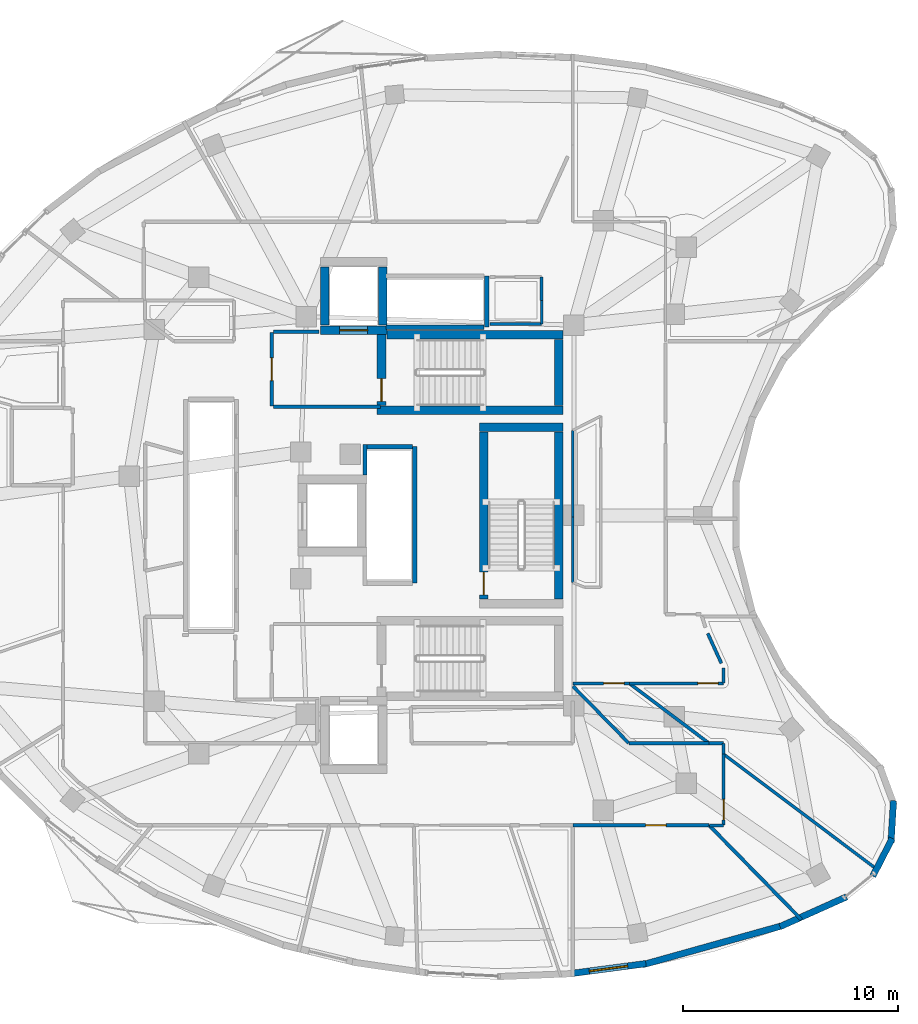
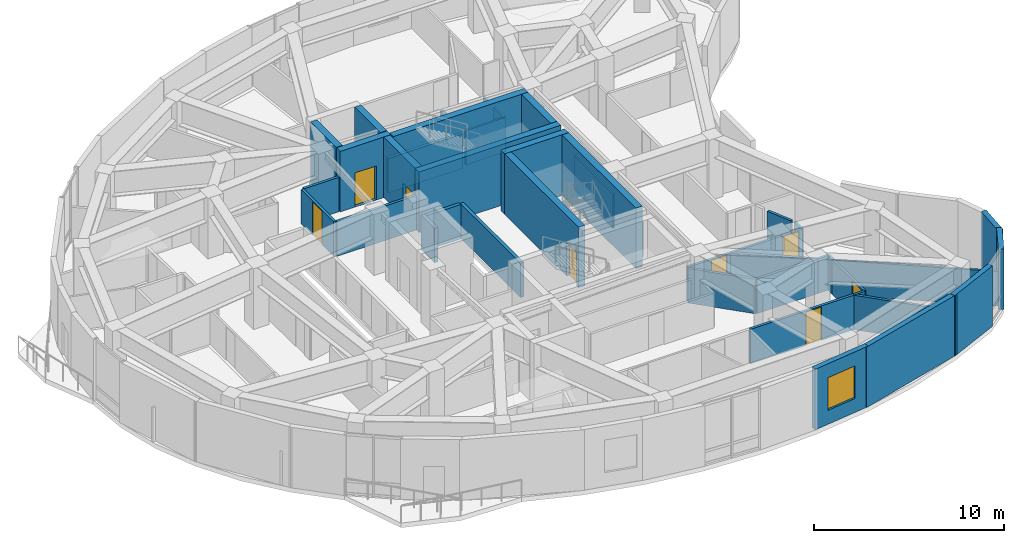
# One storey, part 8 of 13: 42 walls, 8 doors, 1 window, 9 openings.
"""IFC4 building model written with IfcOpenShell, lengths in metres."""

from ifc_helpers import new_model, si_unit, direction, frame, frame_2d, origin, place, context, subcontext, project, spatial, rectangle, extrude, material, layer, layer_set, type_object, element, fill, save


model = new_model("IFC4")

# Units and contexts
model_context = context("Model", 3, precision=1e-05, world=origin(), true_north=direction((0.0, 1.0)))
body_context = subcontext(model_context, "Body", "Model", "MODEL_VIEW")
ifc_project = project(units=[si_unit("LENGTHUNIT", "METRE"), si_unit("AREAUNIT", "SQUARE_METRE"), si_unit("VOLUMEUNIT", "CUBIC_METRE"), si_unit("PLANEANGLEUNIT", "RADIAN"), si_unit("MASSUNIT", "GRAM", prefix="KILO")], contexts=[model_context])

# Site, building, storey
site_placement = place(None, origin())
site = spatial("IfcSite", under=ifc_project, at=site_placement, CompositionType="ELEMENT")
building_placement = place(site_placement, origin())
building = spatial("IfcBuilding", under=site, at=building_placement, Name="Korentha Bioscience Tower", CompositionType="ELEMENT")
storey_placement = place(building_placement, frame((0.0, 0.0, 256.199951171875)))
storey = spatial("IfcBuildingStorey", under=building, at=storey_placement, Name="L59", CompositionType="ELEMENT", Elevation=256.199951171875)

# Wall, opening, door
ifc_material_1 = material(Name="Double-Stud Acoustic Gypsum", Category="gypsum")
ifc_layer_1 = layer(ifc_material_1, 0.14990234375, Name="Double-Stud Acoustic Gypsum")
ifc_layer_set_1 = layer_set([ifc_layer_1], Name="Double-Stud Acoustic Gypsum (IW-L150)")
wall_type_1 = type_object("IfcWallType", Name="Acoustic Laboratory Partition Wall 150", PredefinedType="PARTITIONING", material=ifc_layer_set_1)
wall_1_placement = place(storey_placement, frame((37.501953125, 19.18994140625, 0.0), z_axis=(0.0, 0.0, 1.0), x_axis=(1.0, 0.0, 0.0)))
wall_1 = element("IfcWall", 1, at=wall_1_placement, inside=storey, type_object=wall_type_1, Name="L59 Immunology Flow-Cytometry Laboratory 11 Entrance Wall", PredefinedType="PARTITIONING", context=body_context, shape_type="SweptSolid", body=[
    extrude(rectangle(XDim=2.621826171875, YDim=0.14990234375, at=frame_2d((1.31103515625, 0.0))), origin(), (0.0, 0.0, 1.0), 2.219970703125),
])
opening_1_placement = place(wall_1_placement, frame((1.431640625, 0.0, 0.0)))
opening_1 = element("IfcOpeningElement", 2, at=opening_1_placement, cuts=wall_1, Name="Opening ID-10R", PredefinedType="OPENING", context=body_context, shape_type="SweptSolid", body=[
    extrude(rectangle(XDim=0.949951171875, YDim=2.14990234375, at=frame_2d((0.47509765625, 1.074951171875))), frame((0.0, 0.08984375, 0.0), z_axis=(0.0, -1.0, 0.0), x_axis=(1.0, 0.0, 0.0)), (0.0, 0.0, 1.0), 0.1796875),
])
ifc_material_2 = material(Name="Phenolic Laminate Timber Core", Category="wood")
door_type_1 = type_object("IfcDoorType", Name="Laboratory Single Leaf Door 950x2150 Right", OperationType="SINGLE_SWING_RIGHT", PredefinedType="DOOR", material=ifc_material_2)
door_1_placement = place(opening_1_placement, origin())
door_1 = element("IfcDoor", 3, at=door_1_placement, inside=storey, type_object=door_type_1, Name="L59 Immunology Flow-Cytometry Laboratory 11 Door", OperationType="SINGLE_SWING_RIGHT", OverallHeight=2.14990234375, OverallWidth=0.949951171875, PredefinedType="DOOR", context=body_context, shape_type="SweptSolid", body=[
    extrude(rectangle(XDim=0.949951171875, YDim=2.14990234375, at=frame_2d((0.47509765625, 1.074951171875))), frame((0.0, 0.02490234375, 0.0), z_axis=(0.0, -1.0, 0.0), x_axis=(1.0, 0.0, 0.0)), (0.0, 0.0, 1.0), 0.050048828125),
])
fill(opening_1, door_1)

wall_2_placement = place(storey_placement, frame((40.140380859375, 19.18994140625, 0.0), z_axis=(0.0, 0.0, 1.0), x_axis=(1.0, 0.0, 0.0)))
wall_2 = element("IfcWall", 4, at=wall_2_placement, inside=storey, type_object=wall_type_1, Name="L59 Lyophilization Freeze-Drying Room 13 Entrance Wall", PredefinedType="PARTITIONING", context=body_context, shape_type="SweptSolid", body=[
    extrude(rectangle(XDim=4.359619140625, YDim=0.14990234375, at=frame_2d((2.1796875, 0.0))), origin(), (0.0, 0.0, 1.0), 2.219970703125),
])
opening_2_placement = place(wall_2_placement, frame((3.169677734375, 0.0, 0.0)))
opening_2 = element("IfcOpeningElement", 5, at=opening_2_placement, cuts=wall_2, Name="Opening ID-10R", PredefinedType="OPENING", context=body_context, shape_type="SweptSolid", body=[
    extrude(rectangle(XDim=0.949951171875, YDim=2.14990234375, at=frame_2d((0.47509765625, 1.074951171875))), frame((0.0, 0.08984375, 0.0), z_axis=(0.0, -1.0, 0.0), x_axis=(1.0, 0.0, 0.0)), (0.0, 0.0, 1.0), 0.1796875),
])
door_2_placement = place(opening_2_placement, origin())
door_2 = element("IfcDoor", 6, at=door_2_placement, inside=storey, type_object=door_type_1, Name="L59 Lyophilization Freeze-Drying Room 13 Door", OperationType="SINGLE_SWING_RIGHT", OverallHeight=2.14990234375, OverallWidth=0.949951171875, PredefinedType="DOOR", context=body_context, shape_type="SweptSolid", body=[
    extrude(rectangle(XDim=0.949951171875, YDim=2.14990234375, at=frame_2d((0.47509765625, 1.074951171875))), frame((0.0, 0.02490234375, 0.0), z_axis=(0.0, -1.0, 0.0), x_axis=(1.0, 0.0, 0.0)), (0.0, 0.0, 1.0), 0.050048828125),
])
fill(opening_2, door_2)

# Walls
wall_3_placement = place(storey_placement, frame((43.826416015625, 16.409912109375, 0.0), z_axis=(0.0, 0.0, 1.0), x_axis=(-1.0, 0.0, 0.0)))
element("IfcWall", 7, at=wall_3_placement, inside=storey, type_object=wall_type_1, Name="L59 Interior Partition 058", PredefinedType="PARTITIONING", context=body_context, shape_type="SweptSolid", body=[
    extrude(rectangle(XDim=3.72802734375, YDim=0.14990234375, at=frame_2d((1.864013671875, 0.0))), origin(), (0.0, 0.0, 1.0), 2.219970703125),
])
wall_4_placement = place(storey_placement, frame((40.098388671875, 16.409912109375, 0.0), z_axis=(0.0, 0.0, 1.0), x_axis=(-0.69966677512, 0.714469316201, 0.0)))
element("IfcWall", 8, at=wall_4_placement, inside=storey, type_object=wall_type_1, Name="L59 Interior Partition 059", PredefinedType="PARTITIONING", context=body_context, shape_type="SweptSolid", body=[
    extrude(rectangle(XDim=3.7109375, YDim=0.14990234375, at=frame_2d((1.85546875, 0.0))), origin(), (0.0, 0.0, 1.0), 2.219970703125),
])
wall_5_placement = place(storey_placement, frame((40.123779296875, 19.18994140625, 0.0), z_axis=(0.0, 0.0, 1.0), x_axis=(0.799683516567, -0.600421746218, 0.0)))
element("IfcWall", 9, at=wall_5_placement, inside=storey, type_object=wall_type_1, Name="L59 Interior Partition 060", PredefinedType="PARTITIONING", context=body_context, shape_type="SweptSolid", body=[
    extrude(rectangle(XDim=4.630126953125, YDim=0.14990234375, at=frame_2d((2.31494140625, 0.0))), origin(), (0.0, 0.0, 1.0), 2.219970703125),
])
wall_6_placement = place(storey_placement, frame((44.510009765625, 15.90673828125, 0.0), z_axis=(0.0, 0.0, 1.0), x_axis=(0.0, 1.0, 0.0)))
element("IfcWall", 10, at=wall_6_placement, inside=storey, type_object=wall_type_1, Name="L59 Interior Partition 063", PredefinedType="PARTITIONING", context=body_context, shape_type="SweptSolid", body=[
    extrude(rectangle(XDim=0.4931640625, YDim=0.14990234375, at=frame_2d((0.24658203125, 0.0))), origin(), (0.0, 0.0, 1.0), 2.219970703125),
])
wall_7_placement = place(storey_placement, frame((44.5, 16.409912109375, 0.0), z_axis=(0.0, 0.0, 1.0), x_axis=(-1.0, 0.0, 0.0)))
element("IfcWall", 11, at=wall_7_placement, inside=storey, type_object=wall_type_1, Name="L59 Interior Partition 064", PredefinedType="PARTITIONING", context=body_context, shape_type="SweptSolid", body=[
    extrude(rectangle(XDim=0.663818359375, YDim=0.14990234375, at=frame_2d((0.33203125, 0.0))), origin(), (0.0, 0.0, 1.0), 2.219970703125),
])
wall_8_placement = place(storey_placement, frame((44.510009765625, 19.199951171875, 0.0), z_axis=(0.0, 0.0, 1.0), x_axis=(0.0, 1.0, 0.0)))
element("IfcWall", 12, at=wall_8_placement, inside=storey, type_object=wall_type_1, Name="L59 Interior Partition 065", PredefinedType="PARTITIONING", context=body_context, shape_type="SweptSolid", body=[
    extrude(rectangle(XDim=0.71044921875, YDim=0.14990234375, at=frame_2d((0.355224609375, 0.0))), origin(), (0.0, 0.0, 1.0), 2.219970703125),
])
wall_9_placement = place(storey_placement, frame((44.40576171875, 20.124267578125, 0.0), z_axis=(0.0, 0.0, 1.0), x_axis=(-0.414730972931, 0.909944075255, 0.0)))
element("IfcWall", 13, at=wall_9_placement, inside=storey, type_object=wall_type_1, Name="L59 Interior Partition 066", PredefinedType="PARTITIONING", context=body_context, shape_type="SweptSolid", body=[
    extrude(rectangle(XDim=1.52587890625, YDim=0.14990234375, at=frame_2d((0.762939453125, 0.0))), origin(), (0.0, 0.0, 1.0), 2.219970703125),
])

# Wall, opening, door
ifc_material_3 = material(Name="Insulated Aluminium Honeycomb Panel", Category="aluminium")
ifc_layer_2 = layer(ifc_material_3, 0.139892578125, Name="Insulated Aluminium Honeycomb Panel")
ifc_layer_set_2 = layer_set([ifc_layer_2], Name="Insulated Aluminium Honeycomb Panel (IW-F60)")
wall_type_2 = type_object("IfcWallType", Name="Cleanroom Flush Metal Panel Partition 140", PredefinedType="PARTITIONING", material=ifc_layer_set_2)
wall_10_placement = place(storey_placement, frame((44.510009765625, 12.60009765625, 0.0), z_axis=(0.0, 0.0, 1.0), x_axis=(0.0, 1.0, 0.0)))
wall_10 = element("IfcWall", 14, at=wall_10_placement, inside=storey, type_object=wall_type_2, Name="L59 Vaccine Formulation Cleanroom 12 Entrance Wall", PredefinedType="PARTITIONING", context=body_context, shape_type="SweptSolid", body=[
    extrude(rectangle(XDim=3.296630859375, YDim=0.139892578125, at=frame_2d((1.6484375, 0.0))), origin(), (0.0, 0.0, 1.0), 2.219970703125),
])
opening_3_placement = place(wall_10_placement, frame((0.239990234375, 0.0, 0.0)))
opening_3 = element("IfcOpeningElement", 15, at=opening_3_placement, cuts=wall_10, Name="Opening ID-10L", PredefinedType="OPENING", context=body_context, shape_type="SweptSolid", body=[
    extrude(rectangle(XDim=0.949951171875, YDim=2.14990234375, at=frame_2d((0.47509765625, 1.074951171875))), frame((0.0, 0.0849609375, 0.0), z_axis=(0.0, -1.0, 0.0), x_axis=(1.0, 0.0, 0.0)), (0.0, 0.0, 1.0), 0.169677734375),
])
door_type_2 = type_object("IfcDoorType", Name="Laboratory Single Leaf Door 950x2150 Left", OperationType="SINGLE_SWING_LEFT", PredefinedType="DOOR", material=ifc_material_2)
door_3_placement = place(opening_3_placement, origin())
door_3 = element("IfcDoor", 16, at=door_3_placement, inside=storey, type_object=door_type_2, Name="L59 Vaccine Formulation Cleanroom 12 Door", OperationType="SINGLE_SWING_LEFT", OverallHeight=2.14990234375, OverallWidth=0.949951171875, PredefinedType="DOOR", context=body_context, shape_type="SweptSolid", body=[
    extrude(rectangle(XDim=0.949951171875, YDim=2.14990234375, at=frame_2d((0.47509765625, 1.074951171875))), frame((0.0, 0.02490234375, 0.0), z_axis=(0.0, -1.0, 0.0), x_axis=(1.0, 0.0, 0.0)), (0.0, 0.0, 1.0), 0.050048828125),
])
fill(opening_3, door_3)

# Walls
wall_11_placement = place(storey_placement, frame((43.84765625, 12.590087890625, 0.0), z_axis=(0.0, 0.0, 1.0), x_axis=(1.0, 0.0, 0.0)))
element("IfcWall", 17, at=wall_11_placement, inside=storey, type_object=wall_type_2, Name="L59 Interior Partition 061", PredefinedType="PARTITIONING", context=body_context, shape_type="SweptSolid", body=[
    extrude(rectangle(XDim=0.65234375, YDim=0.139892578125, at=frame_2d((0.326171875, 0.0))), origin(), (0.0, 0.0, 1.0), 2.219970703125),
])
wall_12_placement = place(storey_placement, frame((44.510009765625, 15.896728515625, 0.0), z_axis=(0.0, 0.0, 1.0), x_axis=(0.79968453469, -0.600420390209, 0.0)))
element("IfcWall", 18, at=wall_12_placement, inside=storey, type_object=wall_type_2, Name="L59 Interior Partition 062", PredefinedType="PARTITIONING", context=body_context, shape_type="SweptSolid", body=[
    extrude(rectangle(XDim=9.011474609375, YDim=0.139892578125, at=frame_2d((4.505859375, 0.0))), origin(), (0.0, 0.0, 1.0), 2.219970703125),
])
ifc_material_4 = material(Name="Fire-Rated Framed Glass", Category="glass")
ifc_layer_3 = layer(ifc_material_4, 0.110107421875, Name="Fire-Rated Framed Glass")
ifc_layer_set_3 = layer_set([ifc_layer_3], Name="Fire-Rated Framed Glass (IW-G110)")
wall_type_3 = type_object("IfcWallType", Name="Demountable Glazed Office Partition 110", PredefinedType="MOVABLE", material=ifc_layer_set_3)
wall_13_placement = place(storey_placement, frame((37.501953125, 26.920654296875, 0.0), z_axis=(0.0, 0.0, 1.0), x_axis=(0.0, 1.0, 0.0)))
element("IfcWall", 19, at=wall_13_placement, inside=storey, type_object=wall_type_3, Name="L59 Interior Partition 071", PredefinedType="MOVABLE", context=body_context, shape_type="SweptSolid", body=[
    extrude(rectangle(XDim=4.03955078125, YDim=0.110107421875, at=frame_2d((2.019775390625, 0.0))), origin(), (0.0, 0.0, 1.0), 2.219970703125),
])
wall_14_placement = place(storey_placement, frame((37.501953125, 23.8759765625, 0.0), z_axis=(0.0, 0.0, 1.0), x_axis=(0.0, 1.0, 0.0)))
element("IfcWall", 20, at=wall_14_placement, inside=storey, type_object=wall_type_3, Name="L59 Interior Partition 075", PredefinedType="MOVABLE", context=body_context, shape_type="SweptSolid", body=[
    extrude(rectangle(XDim=3.04052734375, YDim=0.110107421875, at=frame_2d((1.520263671875, 0.0))), origin(), (0.0, 0.0, 1.0), 2.219970703125),
])

# Wall, opening, door
ifc_material_5 = material(Name="Gypsum-Clad Steel Stud", Category="steel")
ifc_layer_4 = layer(ifc_material_5, 0.159912109375, Name="Gypsum-Clad Steel Stud")
ifc_layer_set_4 = layer_set([ifc_layer_4], Name="Gypsum-Clad Steel Stud (IW-C160)")
wall_type_4 = type_object("IfcWallType", Name="Fire-Rated Corridor Partition Wall 160", PredefinedType="PARTITIONING", material=ifc_layer_set_4)
wall_15_placement = place(storey_placement, frame((23.5, 32.10009765625, 0.0), z_axis=(0.0, 0.0, 1.0), x_axis=(0.0, 1.0, 0.0)))
wall_15 = element("IfcWall", 21, at=wall_15_placement, inside=storey, type_object=wall_type_4, Name="L59 FFLN-CW Rated Enclosure Wall", PredefinedType="PARTITIONING", context=body_context, shape_type="SweptSolid", body=[
    extrude(rectangle(XDim=3.39990234375, YDim=0.159912109375, at=frame_2d((1.699951171875, 0.0))), origin(), (0.0, 0.0, 1.0), 2.219970703125),
])
opening_4_placement = place(wall_15_placement, frame((1.175048828125, 0.0, 0.0)))
opening_4 = element("IfcOpeningElement", 22, at=opening_4_placement, cuts=wall_15, Name="Opening FD-90R", PredefinedType="OPENING", context=body_context, shape_type="SweptSolid", body=[
    extrude(rectangle(XDim=1.050048828125, YDim=2.14990234375, at=frame_2d((0.52490234375, 1.074951171875))), frame((0.0, 0.0947265625, 0.0), z_axis=(0.0, -1.0, 0.0), x_axis=(1.0, 0.0, 0.0)), (0.0, 0.0, 1.0), 0.189697265625),
])
ifc_material_6 = material(Name="Powder-Coated Fire-Rated Steel", Category="steel")
door_type_3 = type_object("IfcDoorType", Name="Stairwell Fire Exit Door 1050x2150 Right", OperationType="SINGLE_SWING_RIGHT", PredefinedType="DOOR", material=ifc_material_6)
door_4_placement = place(opening_4_placement, origin())
door_4 = element("IfcDoor", 23, at=door_4_placement, inside=storey, type_object=door_type_3, Name="L59 North Firefighting Lobby Door", OperationType="SINGLE_SWING_RIGHT", OverallHeight=2.14990234375, OverallWidth=1.050048828125, PredefinedType="DOOR", context=body_context, shape_type="SweptSolid", body=[
    extrude(rectangle(XDim=1.050048828125, YDim=2.14990234375, at=frame_2d((0.52490234375, 1.074951171875))), frame((0.0, 0.02490234375, 0.0), z_axis=(0.0, -1.0, 0.0), x_axis=(1.0, 0.0, 0.0)), (0.0, 0.0, 1.0), 0.050048828125),
])
fill(opening_4, door_4)

# Walls
wall_16_placement = place(storey_placement, frame((23.580078125, 32.050048828125, 0.0), z_axis=(0.0, 0.0, 1.0), x_axis=(1.0, 0.0, 0.0)))
element("IfcWall", 24, at=wall_16_placement, inside=storey, type_object=wall_type_4, Name="L59 Firefighting Lobby Return Wall FFLN-S", PredefinedType="PARTITIONING", context=body_context, shape_type="SweptSolid", body=[
    extrude(rectangle(XDim=4.969970703125, YDim=0.159912109375, at=frame_2d((2.48486328125, 0.0))), origin(), (0.0, 0.0, 1.0), 2.219970703125),
])
wall_17_placement = place(storey_placement, frame((23.580078125, 35.550048828125, 0.0), z_axis=(0.0, 0.0, 1.0), x_axis=(1.0, 0.0, 0.0)))
element("IfcWall", 25, at=wall_17_placement, inside=storey, type_object=wall_type_4, Name="L59 Firefighting Lobby Return Wall FFLN-N", PredefinedType="PARTITIONING", context=body_context, shape_type="SweptSolid", body=[
    extrude(rectangle(XDim=2.119873046875, YDim=0.159912109375, at=frame_2d((1.06005859375, 0.0))), origin(), (0.0, 0.0, 1.0), 2.219970703125),
])

# Wall, opening, door
wall_18_placement = place(storey_placement, frame((37.508056640625, 12.590087890625, 0.0), z_axis=(0.0, 0.0, 1.0), x_axis=(1.0, 0.0, 0.0)))
wall_18 = element("IfcWall", 26, at=wall_18_placement, inside=storey, type_object=wall_type_4, Name="L59 Reference Archive Vault 10 Entrance Wall", PredefinedType="PARTITIONING", context=body_context, shape_type="SweptSolid", body=[
    extrude(rectangle(XDim=6.325439453125, YDim=0.159912109375, at=frame_2d((3.16259765625, 0.0))), origin(), (0.0, 0.0, 1.0), 2.219970703125),
])
opening_5_placement = place(wall_18_placement, frame((3.37744140625, 0.0, 0.0)))
opening_5 = element("IfcOpeningElement", 27, at=opening_5_placement, cuts=wall_18, Name="Opening ID-10L", PredefinedType="OPENING", context=body_context, shape_type="SweptSolid", body=[
    extrude(rectangle(XDim=0.949951171875, YDim=2.14990234375, at=frame_2d((0.47509765625, 1.074951171875))), frame((0.0, 0.0947265625, 0.0), z_axis=(0.0, -1.0, 0.0), x_axis=(1.0, 0.0, 0.0)), (0.0, 0.0, 1.0), 0.189697265625),
])
door_5_placement = place(opening_5_placement, origin())
door_5 = element("IfcDoor", 28, at=door_5_placement, inside=storey, type_object=door_type_2, Name="L59 Reference Archive Vault 10 Door", OperationType="SINGLE_SWING_LEFT", OverallHeight=2.14990234375, OverallWidth=0.949951171875, PredefinedType="DOOR", context=body_context, shape_type="SweptSolid", body=[
    extrude(rectangle(XDim=0.949951171875, YDim=2.14990234375, at=frame_2d((0.47509765625, 1.074951171875))), frame((0.0, 0.02490234375, 0.0), z_axis=(0.0, -1.0, 0.0), x_axis=(1.0, 0.0, 0.0)), (0.0, 0.0, 1.0), 0.050048828125),
])
fill(opening_5, door_5)

# Wall
wall_19_placement = place(storey_placement, frame((43.83349609375, 12.590087890625, 0.0), z_axis=(0.0, 0.0, 1.0), x_axis=(0.699668373954, -0.714467750489, 0.0)))
element("IfcWall", 29, at=wall_19_placement, inside=storey, type_object=wall_type_4, Name="L59 Interior Partition 057", PredefinedType="PARTITIONING", context=body_context, shape_type="SweptSolid", body=[
    extrude(rectangle(XDim=6.13671875, YDim=0.159912109375, at=frame_2d((3.068359375, 0.0))), origin(), (0.0, 0.0, 1.0), 2.219970703125),
])

# Wall, opening, window
ifc_material_7 = material(Name="Honed Limestone Precast Concrete C40", Category="masonry")
ifc_layer_5 = layer(ifc_material_7, 0.300048828125, Name="Honed Limestone Precast Concrete C40")
ifc_layer_set_5 = layer_set([ifc_layer_5], Name="Honed Limestone Precast Concrete C40 (EW-ST300)")
wall_type_5 = type_object("IfcWallType", Name="Honed Limestone Cavity Spandrel Wall 300", PredefinedType="STANDARD", material=ifc_layer_set_5)
wall_20_placement = place(storey_placement, frame((37.407958984375, 5.693115234375, 0.0), z_axis=(0.0, 0.0, 1.0), x_axis=(0.991363126073, 0.131145538481, 0.0)))
wall_20 = element("IfcWall", 30, at=wall_20_placement, inside=storey, type_object=wall_type_5, Name="L59 Honed Limestone Spandrel Wall 33", PredefinedType="STANDARD", context=body_context, shape_type="SweptSolid", body=[
    extrude(rectangle(XDim=3.518310546875, YDim=0.300048828125, at=frame_2d((1.75927734375, 0.0))), origin(), (0.0, 0.0, 1.0), 3.900146484375),
])
opening_6_placement = place(wall_20_placement, frame((0.859130859375, 0.0, 0.89990234375)))
opening_6 = element("IfcOpeningElement", 31, at=opening_6_placement, cuts=wall_20, Name="Opening WN-01", PredefinedType="OPENING", context=body_context, shape_type="SweptSolid", body=[
    extrude(rectangle(XDim=1.800048828125, YDim=2.10009765625, at=frame_2d((0.89990234375, 1.050048828125))), frame((0.0, 0.1650390625, 0.0), z_axis=(0.0, -1.0, 0.0), x_axis=(1.0, 0.0, 0.0)), (0.0, 0.0, 1.0), 0.329833984375),
])
ifc_material_8 = material(Name="Thermally Broken Aluminium Triple Glazing", Category="aluminium")
window_type = type_object("IfcWindowType", Name="Triple-Glazed Fixed Bioscience Window 1800x2100", PartitioningType="SINGLE_PANEL", PredefinedType="WINDOW", material=ifc_material_8)
window_placement = place(opening_6_placement, origin())
window = element("IfcWindow", 32, at=window_placement, inside=storey, type_object=window_type, Name="L59 Facade Window 33", OverallHeight=2.10009765625, OverallWidth=1.800048828125, PartitioningType="SINGLE_PANEL", PredefinedType="WINDOW", context=body_context, shape_type="SweptSolid", body=[
    extrude(rectangle(XDim=1.800048828125, YDim=2.10009765625, at=frame_2d((0.89990234375, 1.050048828125))), frame((0.0, 0.030029296875, 0.0), z_axis=(0.0, -1.0, 0.0), x_axis=(1.0, 0.0, 0.0)), (0.0, 0.0, 1.0), 0.06005859375),
])
fill(opening_6, window)

# Walls
wall_21_placement = place(storey_placement, frame((40.742919921875, 6.101318359375, 0.0), z_axis=(0.0, 0.0, 1.0), x_axis=(0.963088978794, 0.269183244138, 0.0)))
element("IfcWall", 33, at=wall_21_placement, inside=storey, type_object=wall_type_5, Name="L59 Limestone Perimeter Closure Wall 34", PredefinedType="STANDARD", context=body_context, shape_type="SweptSolid", body=[
    extrude(rectangle(XDim=6.812255859375, YDim=0.300048828125, at=frame_2d((3.40625, 0.0))), origin(), (0.0, 0.0, 1.0), 3.900146484375),
])
wall_22_placement = place(storey_placement, frame((47.134033203125, 7.873779296875, 0.0), z_axis=(0.0, 0.0, 1.0), x_axis=(0.912633606441, 0.408778546886, 0.0)))
element("IfcWall", 34, at=wall_22_placement, inside=storey, type_object=wall_type_5, Name="L59 Limestone Perimeter Closure Wall 36", PredefinedType="STANDARD", context=body_context, shape_type="SweptSolid", body=[
    extrude(rectangle(XDim=3.386962890625, YDim=0.300048828125, at=frame_2d((1.693359375, 0.0))), origin(), (0.0, 0.0, 1.0), 3.900146484375),
])
wall_23_placement = place(storey_placement, frame((51.45263671875, 10.227783203125, 0.0), z_axis=(0.0, 0.0, 1.0), x_axis=(0.45760880089, 0.889153634277, 0.0)))
element("IfcWall", 35, at=wall_23_placement, inside=storey, type_object=wall_type_5, Name="L59 Limestone Perimeter Closure Wall 38", PredefinedType="STANDARD", context=body_context, shape_type="SweptSolid", body=[
    extrude(rectangle(XDim=1.967041015625, YDim=0.300048828125, at=frame_2d((0.9833984375, 0.0))), origin(), (0.0, 0.0, 1.0), 3.900146484375),
])
wall_24_placement = place(storey_placement, frame((52.2958984375, 11.770263671875, 0.0), z_axis=(0.0, 0.0, 1.0), x_axis=(0.060191547909, 0.998186845015, 0.0)))
element("IfcWall", 36, at=wall_24_placement, inside=storey, type_object=wall_type_5, Name="L59 Limestone Perimeter Closure Wall 39", PredefinedType="STANDARD", context=body_context, shape_type="SweptSolid", body=[
    extrude(rectangle(XDim=1.96728515625, YDim=0.300048828125, at=frame_2d((0.983642578125, 0.0))), origin(), (0.0, 0.0, 1.0), 3.900146484375),
])
ifc_material_9 = material(Name="Autoclaved Aerated Concrete Block C25", Category="concrete")
ifc_layer_6 = layer(ifc_material_9, 0.199951171875, Name="Autoclaved Aerated Concrete Block C25")
ifc_layer_set_6 = layer_set([ifc_layer_6], Name="Autoclaved Aerated Concrete Block C25 (IW-S200)")
wall_type_6 = type_object("IfcWallType", Name="Lift and Riser Shaft Enclosure Wall 200", PredefinedType="PARTITIONING", material=ifc_layer_set_6)
wall_25_placement = place(storey_placement, frame((27.830078125, 28.884033203125, 0.0), z_axis=(0.0, 0.0, 1.0), x_axis=(0.0, 1.0, 0.0)))
element("IfcWall", 37, at=wall_25_placement, inside=storey, type_object=wall_type_6, Name="L59 Lift Bank HIGH Shaft Wall -XN", PredefinedType="PARTITIONING", context=body_context, shape_type="SweptSolid", body=[
    extrude(rectangle(XDim=1.416015625, YDim=0.199951171875, at=frame_2d((0.7080078125, 0.0))), origin(), (0.0, 0.0, 1.0), 2.219970703125),
])
wall_26_placement = place(storey_placement, frame((30.14990234375, 23.85009765625, 0.0), z_axis=(0.0, 0.0, 1.0), x_axis=(0.0, 1.0, 0.0)))
element("IfcWall", 38, at=wall_26_placement, inside=storey, type_object=wall_type_6, Name="L59 Lift Bank HIGH Shaft Wall +X", PredefinedType="PARTITIONING", context=body_context, shape_type="SweptSolid", body=[
    extrude(rectangle(XDim=6.349853515625, YDim=0.199951171875, at=frame_2d((3.1748046875, 0.0))), origin(), (0.0, 0.0, 1.0), 2.219970703125),
])
wall_27_placement = place(storey_placement, frame((27.93408203125, 30.199951171875, 0.0), z_axis=(0.0, 0.0, 1.0), x_axis=(1.0, 0.0, 0.0)))
element("IfcWall", 39, at=wall_27_placement, inside=storey, type_object=wall_type_6, Name="L59 Lift Bank HIGH Shaft Wall +Y", PredefinedType="PARTITIONING", context=body_context, shape_type="SweptSolid", body=[
    extrude(rectangle(XDim=2.095947265625, YDim=0.199951171875, at=frame_2d((1.0478515625, 0.0))), origin(), (0.0, 0.0, 1.0), 2.219970703125),
])
wall_28_placement = place(storey_placement, frame((33.489990234375, 35.760009765625, 0.0), z_axis=(0.0, 0.0, 1.0), x_axis=(0.0, 1.0, 0.0)))
element("IfcWall", 40, at=wall_28_placement, inside=storey, type_object=wall_type_6, Name="L59 Lift Bank OBS Shaft Wall +X", PredefinedType="PARTITIONING", context=body_context, shape_type="SweptSolid", body=[
    extrude(rectangle(XDim=2.3798828125, YDim=0.199951171875, at=frame_2d((1.18994140625, 0.0))), origin(), (0.0, 0.0, 1.0), 2.219970703125),
])
wall_29_placement = place(storey_placement, frame((28.800048828125, 35.760009765625, 0.0), z_axis=(0.0, 0.0, 1.0), x_axis=(1.0, 0.0, 0.0)))
element("IfcWall", 41, at=wall_29_placement, inside=storey, type_object=wall_type_6, Name="L59 Lift Bank OBS Shaft Wall -Y", PredefinedType="PARTITIONING", context=body_context, shape_type="SweptSolid", body=[
    extrude(rectangle(XDim=4.570068359375, YDim=0.199951171875, at=frame_2d((2.28515625, 0.0))), origin(), (0.0, 0.0, 1.0), 2.219970703125),
])
ifc_material_10 = material(Name="Concrete C65", Category="concrete")
ifc_layer_7 = layer(ifc_material_10, 0.39990234375, Name="Concrete C65")
ifc_layer_set_7 = layer_set([ifc_layer_7], Name="Concrete C65 (CW-C65)")
wall_type_7 = type_object("IfcWallType", Name="Mid-Rise Core Shear Wall 400", PredefinedType="SHEAR", material=ifc_layer_set_7)
wall_30_placement = place(storey_placement, frame((28.85205078125, 35.39990234375, 0.0), z_axis=(0.0, 0.0, 1.0), x_axis=(1.0, 0.0, 0.0)))
element("IfcWall", 42, at=wall_30_placement, inside=storey, type_object=wall_type_7, Name="L59 Core Shear Wall ST1-N", PredefinedType="SHEAR", context=body_context, shape_type="SweptSolid", body=[
    extrude(rectangle(XDim=8.197998046875, YDim=0.39990234375, at=frame_2d((4.09912109375, 0.0))), origin(), (0.0, 0.0, 1.0), 3.900146484375),
])
wall_31_placement = place(storey_placement, frame((28.39990234375, 31.89990234375, 0.0), z_axis=(0.0, 0.0, 1.0), x_axis=(1.0, 0.0, 0.0)))
element("IfcWall", 43, at=wall_31_placement, inside=storey, type_object=wall_type_7, Name="L59 Core Shear Wall ST1-S", PredefinedType="SHEAR", context=body_context, shape_type="SweptSolid", body=[
    extrude(rectangle(XDim=8.650146484375, YDim=0.39990234375, at=frame_2d((4.3251953125, 0.0))), origin(), (0.0, 0.0, 1.0), 3.900146484375),
])
wall_32_placement = place(storey_placement, frame((36.85009765625, 32.110107421875, 0.0), z_axis=(0.0, 0.0, 1.0), x_axis=(0.0, 1.0, 0.0)))
element("IfcWall", 44, at=wall_32_placement, inside=storey, type_object=wall_type_7, Name="L59 Core Shear Wall ST1-E", PredefinedType="SHEAR", context=body_context, shape_type="SweptSolid", body=[
    extrude(rectangle(XDim=3.079833984375, YDim=0.39990234375, at=frame_2d((1.5400390625, 0.0))), origin(), (0.0, 0.0, 1.0), 3.900146484375),
])

# Wall, opening, door
wall_33_placement = place(storey_placement, frame((28.60009765625, 32.110107421875, 0.0), z_axis=(0.0, 0.0, 1.0), x_axis=(0.0, 1.0, 0.0)))
wall_33 = element("IfcWall", 45, at=wall_33_placement, inside=storey, type_object=wall_type_7, Name="L59 Core Shear Wall ST1-W", PredefinedType="SHEAR", context=body_context, shape_type="SweptSolid", body=[
    extrude(rectangle(XDim=3.307861328125, YDim=0.39990234375, at=frame_2d((1.65380859375, 0.0))), origin(), (0.0, 0.0, 1.0), 3.900146484375),
])
opening_7_placement = place(wall_33_placement, frame((0.199951171875, 0.0, 0.0)))
opening_7 = element("IfcOpeningElement", 46, at=opening_7_placement, cuts=wall_33, Name="Opening FD-90R", PredefinedType="OPENING", context=body_context, shape_type="SweptSolid", body=[
    extrude(rectangle(XDim=1.050048828125, YDim=2.14990234375, at=frame_2d((0.52490234375, 1.074951171875))), frame((0.0, 0.21484375, 0.0), z_axis=(0.0, -1.0, 0.0), x_axis=(1.0, 0.0, 0.0)), (0.0, 0.0, 1.0), 0.4296875),
])
door_6_placement = place(opening_7_placement, origin())
door_6 = element("IfcDoor", 47, at=door_6_placement, inside=storey, type_object=door_type_3, Name="L59 ST-1 Fire Exit Stair Door", OperationType="SINGLE_SWING_RIGHT", OverallHeight=2.14990234375, OverallWidth=1.050048828125, PredefinedType="DOOR", context=body_context, shape_type="SweptSolid", body=[
    extrude(rectangle(XDim=1.050048828125, YDim=2.14990234375, at=frame_2d((0.52490234375, 1.074951171875))), frame((0.0, 0.02490234375, 0.0), z_axis=(0.0, -1.0, 0.0), x_axis=(1.0, 0.0, 0.0)), (0.0, 0.0, 1.0), 0.050048828125),
])
fill(opening_7, door_6)

# Walls
wall_34_placement = place(storey_placement, frame((33.14990234375, 31.10009765625, 0.0), z_axis=(0.0, 0.0, 1.0), x_axis=(1.0, 0.0, 0.0)))
element("IfcWall", 48, at=wall_34_placement, inside=storey, type_object=wall_type_7, Name="L59 Core Shear Wall ST3-N", PredefinedType="SHEAR", context=body_context, shape_type="SweptSolid", body=[
    extrude(rectangle(XDim=3.900146484375, YDim=0.39990234375, at=frame_2d((1.9501953125, 0.0))), origin(), (0.0, 0.0, 1.0), 3.900146484375),
])
wall_35_placement = place(storey_placement, frame((36.85009765625, 23.110107421875, 0.0), z_axis=(0.0, 0.0, 1.0), x_axis=(0.0, 1.0, 0.0)))
element("IfcWall", 49, at=wall_35_placement, inside=storey, type_object=wall_type_7, Name="L59 Core Shear Wall ST3-E", PredefinedType="SHEAR", context=body_context, shape_type="SweptSolid", body=[
    extrude(rectangle(XDim=7.77978515625, YDim=0.39990234375, at=frame_2d((3.889892578125, 0.0))), origin(), (0.0, 0.0, 1.0), 3.900146484375),
])

# Wall, opening, door
wall_36_placement = place(storey_placement, frame((33.35009765625, 23.110107421875, 0.0), z_axis=(0.0, 0.0, 1.0), x_axis=(0.0, 1.0, 0.0)))
wall_36 = element("IfcWall", 50, at=wall_36_placement, inside=storey, type_object=wall_type_7, Name="L59 Core Shear Wall ST3-W", PredefinedType="SHEAR", context=body_context, shape_type="SweptSolid", body=[
    extrude(rectangle(XDim=7.77978515625, YDim=0.39990234375, at=frame_2d((3.889892578125, 0.0))), origin(), (0.0, 0.0, 1.0), 3.900146484375),
])
opening_8_placement = place(wall_36_placement, frame((0.199951171875, 0.0, 0.0)))
opening_8 = element("IfcOpeningElement", 51, at=opening_8_placement, cuts=wall_36, Name="Opening FD-90R", PredefinedType="OPENING", context=body_context, shape_type="SweptSolid", body=[
    extrude(rectangle(XDim=1.050048828125, YDim=2.14990234375, at=frame_2d((0.52490234375, 1.074951171875))), frame((0.0, 0.21484375, 0.0), z_axis=(0.0, -1.0, 0.0), x_axis=(1.0, 0.0, 0.0)), (0.0, 0.0, 1.0), 0.4296875),
])
door_7_placement = place(opening_8_placement, origin())
door_7 = element("IfcDoor", 52, at=door_7_placement, inside=storey, type_object=door_type_3, Name="L59 ST-3 Fire Exit Stair Door", OperationType="SINGLE_SWING_RIGHT", OverallHeight=2.14990234375, OverallWidth=1.050048828125, PredefinedType="DOOR", context=body_context, shape_type="SweptSolid", body=[
    extrude(rectangle(XDim=1.050048828125, YDim=2.14990234375, at=frame_2d((0.52490234375, 1.074951171875))), frame((0.0, 0.02490234375, 0.0), z_axis=(0.0, -1.0, 0.0), x_axis=(1.0, 0.0, 0.0)), (0.0, 0.0, 1.0), 0.050048828125),
])
fill(opening_8, door_7)

wall_37_placement = place(storey_placement, frame((25.75, 35.6201171875, 0.0), z_axis=(0.0, 0.0, 1.0), x_axis=(1.0, 0.0, 0.0)))
wall_37 = element("IfcWall", 53, at=wall_37_placement, inside=storey, type_object=wall_type_7, Name="L59 Core Shear Wall FFL2-S", PredefinedType="SHEAR", context=body_context, shape_type="SweptSolid", body=[
    extrude(rectangle(XDim=3.10009765625, YDim=0.39990234375, at=frame_2d((1.550048828125, 0.0))), origin(), (0.0, 0.0, 1.0), 3.900146484375),
])
opening_9_placement = place(wall_37_placement, frame((0.89990234375, 0.0, 0.0)))
opening_9 = element("IfcOpeningElement", 54, at=opening_9_placement, cuts=wall_37, Name="Opening LD-13", PredefinedType="OPENING", context=body_context, shape_type="SweptSolid", body=[
    extrude(rectangle(XDim=1.300048828125, YDim=2.199951171875, at=frame_2d((0.64990234375, 1.10009765625))), frame((0.0, 0.21484375, 0.0), z_axis=(0.0, -1.0, 0.0), x_axis=(1.0, 0.0, 0.0)), (0.0, 0.0, 1.0), 0.4296875),
])
ifc_material_11 = material(Name="Brushed Stainless Steel 316", Category="steel")
door_type_4 = type_object("IfcDoorType", Name="Service & Firefighting Lift Landing Door 1300x2300", OperationType="DOUBLE_DOOR_SLIDING", PredefinedType="DOOR", material=ifc_material_11)
door_8_placement = place(opening_9_placement, origin())
door_8 = element("IfcDoor", 55, at=door_8_placement, inside=storey, type_object=door_type_4, Name="L59 FFL-2 Sliding Lift Landing Door", OperationType="DOUBLE_DOOR_SLIDING", OverallHeight=2.199951171875, OverallWidth=1.300048828125, PredefinedType="DOOR", context=body_context, shape_type="SweptSolid", body=[
    extrude(rectangle(XDim=1.300048828125, YDim=2.199951171875, at=frame_2d((0.64990234375, 1.10009765625))), frame((0.0, 0.02490234375, 0.0), z_axis=(0.0, -1.0, 0.0), x_axis=(1.0, 0.0, 0.0)), (0.0, 0.0, 1.0), 0.050048828125),
])
fill(opening_9, door_8)

# Walls
for number, where, z_axis, x_axis, name in (
    (56, (25.949951171875, 35.860107421875, 0.0), (0.0, 0.0, 1.0), (0.0, 1.0, 0.0), "L59 Core Shear Wall FFL2-W"),
    (57, (28.64990234375, 35.860107421875, 0.0), (0.0, 0.0, 1.0), (0.0, 1.0, 0.0), "L59 Core Shear Wall FFL2-E"),
):
    element("IfcWall", number, at=place(storey_placement, frame(where, z_axis=z_axis, x_axis=x_axis)), inside=storey, type_object=wall_type_7, Name=name, PredefinedType="SHEAR", context=body_context, shape_type="SweptSolid", body=[
        extrude(rectangle(XDim=2.699951171875, YDim=0.39990234375, at=frame_2d((1.35009765625, 0.0))), origin(), (0.0, 0.0, 1.0), 3.900146484375),
    ])
ifc_material_12 = material(Name="Cement-Board Steel Stud", Category="steel")
ifc_layer_8 = layer(ifc_material_12, 0.1298828125, Name="Cement-Board Steel Stud")
ifc_layer_set_8 = layer_set([ifc_layer_8], Name="Cement-Board Steel Stud (IW-W130)")
wall_type_8 = type_object("IfcWallType", Name="Wet-Area Moisture-Resistant Partition 130", PredefinedType="PARTITIONING", material=ifc_layer_set_8)
wall_38_placement = place(storey_placement, frame((36.050048828125, 35.909912109375, 0.0), z_axis=(0.0, 0.0, 1.0), x_axis=(-1.0, 0.0, 0.0)))
element("IfcWall", 58, at=wall_38_placement, inside=storey, type_object=wall_type_8, Name="L59 Interior Partition 027", PredefinedType="PARTITIONING", context=body_context, shape_type="SweptSolid", body=[
    extrude(rectangle(XDim=2.400146484375, YDim=0.1298828125, at=frame_2d((1.2001953125, 0.0))), origin(), (0.0, 0.0, 1.0), 2.219970703125),
])
wall_39_placement = place(storey_placement, frame((36.0400390625, 38.090087890625, 0.0), z_axis=(0.0, 0.0, 1.0), x_axis=(0.0, -1.0, 0.0)))
element("IfcWall", 59, at=wall_39_placement, inside=storey, type_object=wall_type_8, Name="L59 Interior Partition 028", PredefinedType="PARTITIONING", context=body_context, shape_type="SweptSolid", body=[
    extrude(rectangle(XDim=1.090087890625, YDim=0.1298828125, at=frame_2d((0.544921875, 0.0))), origin(), (0.0, 0.0, 1.0), 2.219970703125),
])
wall_40_placement = place(storey_placement, frame((36.050048828125, 36.989990234375, 0.0), z_axis=(0.0, 0.0, 1.0), x_axis=(0.0, -1.0, 0.0)))
element("IfcWall", 60, at=wall_40_placement, inside=storey, type_object=wall_type_8, Name="L59 Interior Partition 029", PredefinedType="PARTITIONING", context=body_context, shape_type="SweptSolid", body=[
    extrude(rectangle(XDim=1.080078125, YDim=0.1298828125, at=frame_2d((0.5400390625, 0.0))), origin(), (0.0, 0.0, 1.0), 2.219970703125),
])

save(model, "model.ifc")
